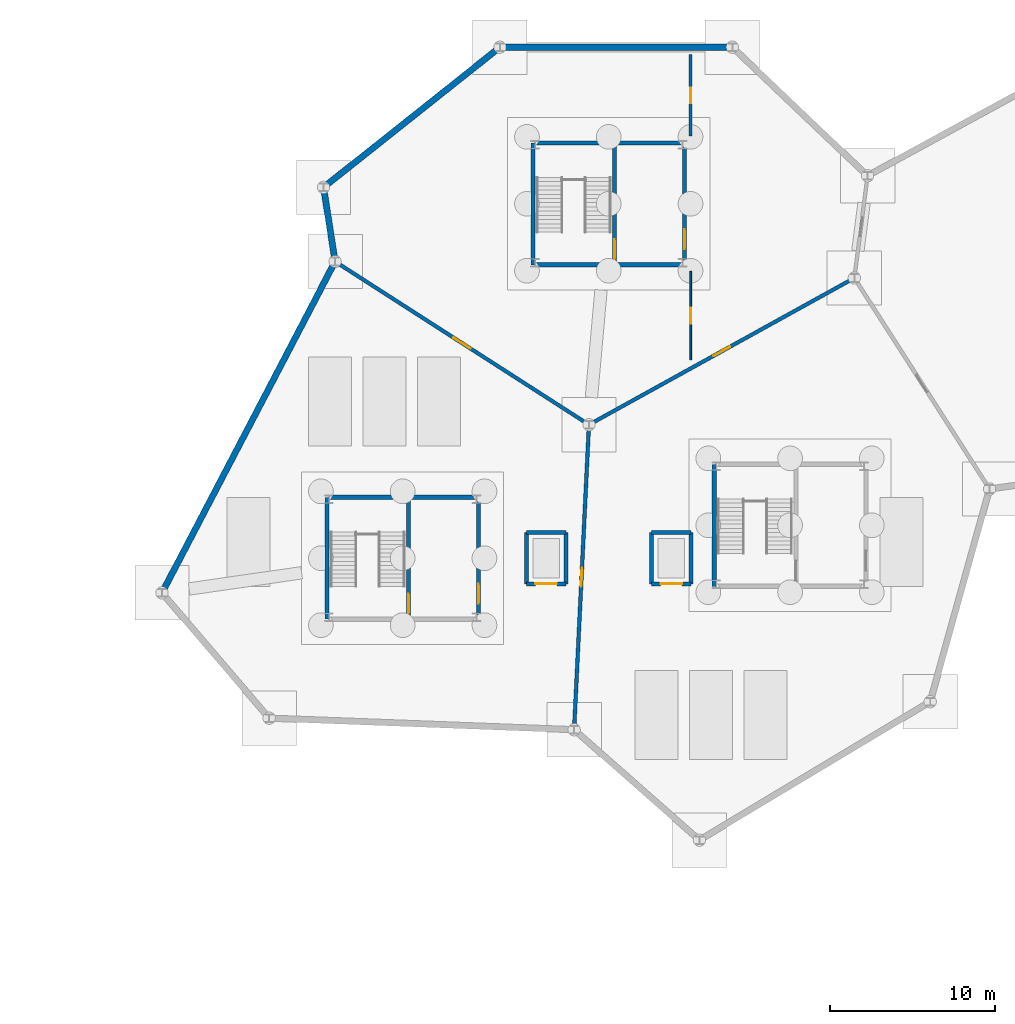
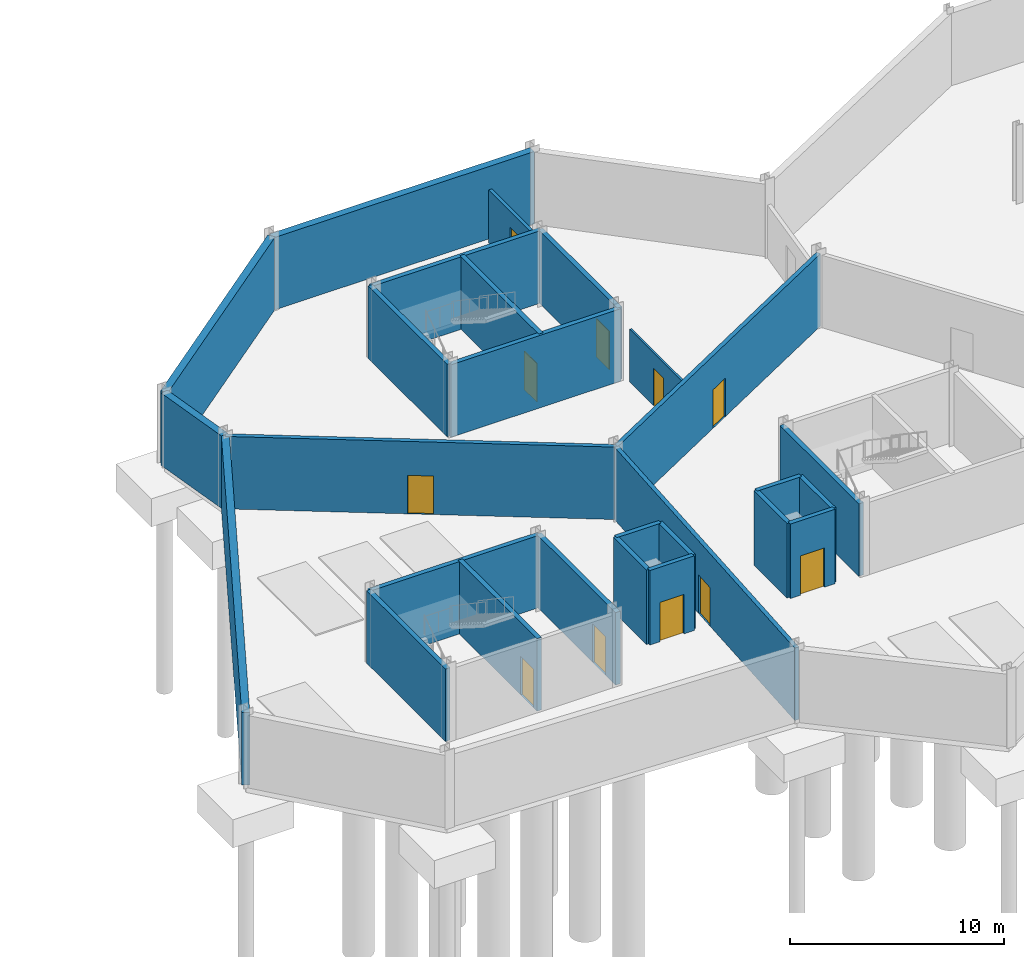
# One storey, part 30 of 37: 27 walls, 11 doors, 11 openings.
"""IFC4 building model written with IfcOpenShell, lengths in metres."""

from ifc_helpers import new_model, si_unit, direction, frame, frame_2d, origin, place, context, subcontext, project, spatial, rectangle, extrude, material, layer, layer_set, type_object, element, fill, save


model = new_model("IFC4")

# Units and contexts
model_context = context("Model", 3, precision=1e-05, world=origin(), true_north=direction((0.0, 1.0)))
body_context = subcontext(model_context, "Body", "Model", "MODEL_VIEW")
ifc_project = project(units=[si_unit("LENGTHUNIT", "METRE"), si_unit("AREAUNIT", "SQUARE_METRE"), si_unit("VOLUMEUNIT", "CUBIC_METRE"), si_unit("PLANEANGLEUNIT", "RADIAN"), si_unit("MASSUNIT", "GRAM", prefix="KILO")], contexts=[model_context])

# Site, building, storey
site_placement = place(None, origin())
site = spatial("IfcSite", under=ifc_project, at=site_placement, CompositionType="ELEMENT")
building_placement = place(site_placement, origin())
building = spatial("IfcBuilding", under=site, at=building_placement, Name="Tameran Prism Museum", CompositionType="ELEMENT")
storey_placement = place(building_placement, frame((0.0, 0.0, -4.5)))
storey = spatial("IfcBuildingStorey", under=building, at=storey_placement, Name="B1", CompositionType="ELEMENT", Elevation=-4.5)

# Walls
ifc_material_1 = material(Name="Concrete N40 (40 MPa)", Category="concrete")
ifc_layer_1 = layer(ifc_material_1, 0.3798828125)
ifc_layer_set_1 = layer_set([ifc_layer_1])
wall_type_1 = type_object("IfcWallType", Name="EW-RET-380", PredefinedType="USERDEFINED", material=ifc_layer_set_1)
wall_1_placement = place(storey_placement, frame((103.376953125, 98.9560546875, 0.0), z_axis=(0.0, 0.0, 1.0), x_axis=(-0.463016536886, -0.886349641264, 0.0)))
element("IfcWall", 1, at=wall_1_placement, inside=storey, type_object=wall_type_1, Name="Basement Retaining Wall RW-002", ObjectType="RETAININGWALL", PredefinedType="USERDEFINED", context=body_context, shape_type="SweptSolid", body=[
    extrude(rectangle(XDim=22.6279296875, YDim=0.3798828125, at=frame_2d((11.31396484375, 0.0))), origin(), (0.0, 0.0, 1.0), 4.139892578125),
])
wall_2_placement = place(storey_placement, frame((127.5, 112.0, 0.0), z_axis=(0.0, 0.0, 1.0), x_axis=(-1.0, 0.0, 0.0)))
element("IfcWall", 2, at=wall_2_placement, inside=storey, type_object=wall_type_1, Name="Basement Retaining Wall RW-008", ObjectType="RETAININGWALL", PredefinedType="USERDEFINED", context=body_context, shape_type="SweptSolid", body=[
    extrude(rectangle(XDim=14.10009765625, YDim=0.3798828125, at=frame_2d((7.050048828125, 0.0))), origin(), (0.0, 0.0, 1.0), 4.139892578125),
])
wall_3_placement = place(storey_placement, frame((113.39990234375, 112.0, 0.0), z_axis=(0.0, 0.0, 1.0), x_axis=(-0.783004636427, -0.62201586743, 0.0)))
element("IfcWall", 3, at=wall_3_placement, inside=storey, type_object=wall_type_1, Name="Basement Retaining Wall RW-009", ObjectType="RETAININGWALL", PredefinedType="USERDEFINED", context=body_context, shape_type="SweptSolid", body=[
    extrude(rectangle(XDim=13.665283203125, YDim=0.3798828125, at=frame_2d((6.83251953125, 0.0))), origin(), (0.0, 0.0, 1.0), 4.139892578125),
])
wall_4_placement = place(storey_placement, frame((102.699951171875, 103.5, 0.0), z_axis=(0.0, 0.0, 1.0), x_axis=(0.153657614378, -0.988124150876, 0.0)))
element("IfcWall", 4, at=wall_4_placement, inside=storey, type_object=wall_type_1, Name="Basement Retaining Wall RW-010", ObjectType="RETAININGWALL", PredefinedType="USERDEFINED", context=body_context, shape_type="SweptSolid", body=[
    extrude(rectangle(XDim=4.50439453125, YDim=0.3798828125, at=frame_2d((2.252197265625, 0.0))), origin(), (0.0, 0.0, 1.0), 4.139892578125),
])

# Wall, opening, door
ifc_material_2 = material(Name="Concrete N40 (40 MPa)", Category="concrete")
ifc_layer_2 = layer(ifc_material_2, 0.22509765625)
ifc_layer_set_2 = layer_set([ifc_layer_2])
wall_type_2 = type_object("IfcWallType", Name="IW-CMP-225", PredefinedType="SOLIDWALL", material=ifc_layer_set_2)
wall_5_placement = place(storey_placement, frame((117.89990234375, 70.60009765625, 0.0), z_axis=(0.0, 0.0, 1.0), x_axis=(0.048599072515, 0.998818366947, 0.0)))
wall_5 = element("IfcWall", 5, at=wall_5_placement, inside=storey, type_object=wall_type_2, Name="Compartment Wall IW-0001", PredefinedType="SOLIDWALL", context=body_context, shape_type="SweptSolid", body=[
    extrude(rectangle(XDim=18.52197265625, YDim=0.22509765625, at=frame_2d((9.260986328125, 0.0))), origin(), (0.0, 0.0, 1.0), 4.139892578125),
])
opening_1_placement = place(wall_5_placement, frame((8.68603515625, 0.0, 0.0)))
opening_1 = element("IfcOpeningElement", 6, at=opening_1_placement, cuts=wall_5, Name="Opening ID-0001", PredefinedType="OPENING", context=body_context, shape_type="SweptSolid", body=[
    extrude(rectangle(XDim=1.14990234375, YDim=2.199951171875, at=frame_2d((0.574951171875, 1.10009765625))), frame((0.0, 0.12255859375, 0.0), z_axis=(0.0, -1.0, 0.0), x_axis=(1.0, 0.0, 0.0)), (0.0, 0.0, 1.0), 0.2451171875),
])
ifc_material_3 = material(Name="Fire-Rated Steel Door Leaf and Frame", Category="steel")
door_type_1 = type_object("IfcDoorType", Name="DR-FD-120B", OperationType="NOTDEFINED", PredefinedType="DOOR", material=ifc_material_3)
door_1_placement = place(opening_1_placement, origin())
door_1 = element("IfcDoor", 7, at=door_1_placement, inside=storey, type_object=door_type_1, Name="Compartment Door ID-0001", OperationType="SINGLE_SWING_RIGHT", OverallHeight=2.199951171875, OverallWidth=1.14990234375, PredefinedType="DOOR", context=body_context, shape_type="SweptSolid", body=[
    extrude(rectangle(XDim=1.14990234375, YDim=2.199951171875, at=frame_2d((0.574951171875, 1.10009765625))), frame((0.0, 0.02490234375, 0.0), z_axis=(0.0, -1.0, 0.0), x_axis=(1.0, 0.0, 0.0)), (0.0, 0.0, 1.0), 0.050048828125),
])
fill(opening_1, door_1)

wall_6_placement = place(storey_placement, frame((118.800048828125, 89.10009765625, 0.0), z_axis=(0.0, 0.0, 1.0), x_axis=(-0.841183241423, 0.540750177392, 0.0)))
wall_6 = element("IfcWall", 8, at=wall_6_placement, inside=storey, type_object=wall_type_2, Name="Compartment Wall IW-0002", PredefinedType="SOLIDWALL", context=body_context, shape_type="SweptSolid", body=[
    extrude(rectangle(XDim=18.3076171875, YDim=0.22509765625, at=frame_2d((9.15380859375, 0.0))), origin(), (0.0, 0.0, 1.0), 4.139892578125),
])
opening_2_placement = place(wall_6_placement, frame((8.553955078125, 0.0, 0.0)))
opening_2 = element("IfcOpeningElement", 9, at=opening_2_placement, cuts=wall_6, Name="Opening ID-0002", PredefinedType="OPENING", context=body_context, shape_type="SweptSolid", body=[
    extrude(rectangle(XDim=1.199951171875, YDim=2.199951171875, at=frame_2d((0.60009765625, 1.10009765625))), frame((0.0, 0.12255859375, 0.0), z_axis=(0.0, -1.0, 0.0), x_axis=(1.0, 0.0, 0.0)), (0.0, 0.0, 1.0), 0.2451171875),
])
ifc_material_4 = material(Name="Fire-Rated Steel Door Leaf and Frame", Category="steel")
door_type_2 = type_object("IfcDoorType", Name="DR-FD-120A", OperationType="NOTDEFINED", PredefinedType="DOOR", material=ifc_material_4)
door_2_placement = place(opening_2_placement, origin())
door_2 = element("IfcDoor", 10, at=door_2_placement, inside=storey, type_object=door_type_2, Name="Compartment Door ID-0002", OperationType="SINGLE_SWING_LEFT", OverallHeight=2.199951171875, OverallWidth=1.199951171875, PredefinedType="DOOR", context=body_context, shape_type="SweptSolid", body=[
    extrude(rectangle(XDim=1.199951171875, YDim=2.199951171875, at=frame_2d((0.60009765625, 1.10009765625))), frame((0.0, 0.02490234375, 0.0), z_axis=(0.0, -1.0, 0.0), x_axis=(1.0, 0.0, 0.0)), (0.0, 0.0, 1.0), 0.050048828125),
])
fill(opening_2, door_2)

wall_7_placement = place(storey_placement, frame((134.89990234375, 98.0, 0.0), z_axis=(0.0, 0.0, 1.0), x_axis=(-0.875181353329, -0.483794996652, 0.0)))
wall_7 = element("IfcWall", 11, at=wall_7_placement, inside=storey, type_object=wall_type_2, Name="Compartment Wall IW-0003", PredefinedType="SOLIDWALL", context=body_context, shape_type="SweptSolid", body=[
    extrude(rectangle(XDim=18.39599609375, YDim=0.22509765625, at=frame_2d((9.197998046875, 0.0))), origin(), (0.0, 0.0, 1.0), 4.139892578125),
])
opening_3_placement = place(wall_7_placement, frame((8.623046875, 0.0, 0.0)))
opening_3 = element("IfcOpeningElement", 12, at=opening_3_placement, cuts=wall_7, Name="Opening ID-0003", PredefinedType="OPENING", context=body_context, shape_type="SweptSolid", body=[
    extrude(rectangle(XDim=1.14990234375, YDim=2.199951171875, at=frame_2d((0.574951171875, 1.10009765625))), frame((0.0, 0.12255859375, 0.0), z_axis=(0.0, -1.0, 0.0), x_axis=(1.0, 0.0, 0.0)), (0.0, 0.0, 1.0), 0.2451171875),
])
door_3_placement = place(opening_3_placement, origin())
door_3 = element("IfcDoor", 13, at=door_3_placement, inside=storey, type_object=door_type_1, Name="Compartment Door ID-0003", OperationType="SINGLE_SWING_RIGHT", OverallHeight=2.199951171875, OverallWidth=1.14990234375, PredefinedType="DOOR", context=body_context, shape_type="SweptSolid", body=[
    extrude(rectangle(XDim=1.14990234375, YDim=2.199951171875, at=frame_2d((0.574951171875, 1.10009765625))), frame((0.0, 0.02490234375, 0.0), z_axis=(0.0, -1.0, 0.0), x_axis=(1.0, 0.0, 0.0)), (0.0, 0.0, 1.0), 0.050048828125),
])
fill(opening_3, door_3)

# Walls
ifc_material_5 = material(Name="Concrete N40 (40 MPa)", Category="concrete")
ifc_layer_3 = layer(ifc_material_5, 0.25)
ifc_layer_set_3 = layer_set([ifc_layer_3])
wall_type_3 = type_object("IfcWallType", Name="IW-COR-250", PredefinedType="SHEAR", material=ifc_layer_set_3)
wall_8_placement = place(storey_placement, frame((102.89990234375, 77.300048828125, 0.0), z_axis=(0.0, 0.0, 1.0), x_axis=(0.0, 1.0, 0.0)))
element("IfcWall", 14, at=wall_8_placement, inside=storey, type_object=wall_type_3, Name="Core Shear Wall CW-1-B1-W", PredefinedType="SHEAR", context=body_context, shape_type="SweptSolid", body=[
    extrude(rectangle(XDim=7.39990234375, YDim=0.25, at=frame_2d((3.699951171875, 0.0))), origin(), (0.0, 0.0, 1.0), 4.139892578125),
])
wall_9_placement = place(storey_placement, frame((102.89990234375, 84.699951171875, 0.0), z_axis=(0.0, 0.0, 1.0), x_axis=(1.0, 0.0, 0.0)))
element("IfcWall", 15, at=wall_9_placement, inside=storey, type_object=wall_type_3, Name="Core Shear Wall CW-1-B1-N", PredefinedType="SHEAR", context=body_context, shape_type="SweptSolid", body=[
    extrude(rectangle(XDim=9.2001953125, YDim=0.25, at=frame_2d((4.60009765625, 0.0))), origin(), (0.0, 0.0, 1.0), 4.139892578125),
])

# Wall, opening, door
wall_10_placement = place(storey_placement, frame((112.10009765625, 84.699951171875, 0.0), z_axis=(0.0, 0.0, 1.0), x_axis=(0.0, -1.0, 0.0)))
wall_10 = element("IfcWall", 16, at=wall_10_placement, inside=storey, type_object=wall_type_3, Name="Core Shear Wall CW-1-B1-E", PredefinedType="SHEAR", context=body_context, shape_type="SweptSolid", body=[
    extrude(rectangle(XDim=7.39990234375, YDim=0.25, at=frame_2d((3.699951171875, 0.0))), origin(), (0.0, 0.0, 1.0), 4.139892578125),
])
opening_4_placement = place(wall_10_placement, frame((5.25, 0.0, 0.0)))
opening_4 = element("IfcOpeningElement", 17, at=opening_4_placement, cuts=wall_10, Name="Opening FD-0169", PredefinedType="OPENING", context=body_context, shape_type="SweptSolid", body=[
    extrude(rectangle(XDim=1.199951171875, YDim=2.199951171875, at=frame_2d((0.60009765625, 1.10009765625))), frame((0.0, 0.135009765625, 0.0), z_axis=(0.0, -1.0, 0.0), x_axis=(1.0, 0.0, 0.0)), (0.0, 0.0, 1.0), 0.27001953125),
])
door_4_placement = place(opening_4_placement, origin())
door_4 = element("IfcDoor", 18, at=door_4_placement, inside=storey, type_object=door_type_2, Name="Core Fire Door FD-0169", OperationType="SINGLE_SWING_LEFT", OverallHeight=2.199951171875, OverallWidth=1.199951171875, PredefinedType="DOOR", context=body_context, shape_type="SweptSolid", body=[
    extrude(rectangle(XDim=1.199951171875, YDim=2.199951171875, at=frame_2d((0.60009765625, 1.10009765625))), frame((0.0, 0.02490234375, 0.0), z_axis=(0.0, -1.0, 0.0), x_axis=(1.0, 0.0, 0.0)), (0.0, 0.0, 1.0), 0.050048828125),
])
fill(opening_4, door_4)

wall_11_placement = place(storey_placement, frame((107.85009765625, 84.699951171875, 0.0), z_axis=(0.0, 0.0, 1.0), x_axis=(0.0, -1.0, 0.0)))
wall_11 = element("IfcWall", 19, at=wall_11_placement, inside=storey, type_object=wall_type_3, Name="Core Shear Wall CW-1-B1-M", PredefinedType="SHEAR", context=body_context, shape_type="SweptSolid", body=[
    extrude(rectangle(XDim=7.39990234375, YDim=0.25, at=frame_2d((3.699951171875, 0.0))), origin(), (0.0, 0.0, 1.0), 4.139892578125),
])
opening_5_placement = place(wall_11_placement, frame((5.85009765625, 0.0, 0.0)))
opening_5 = element("IfcOpeningElement", 20, at=opening_5_placement, cuts=wall_11, Name="Opening FD-0170", PredefinedType="OPENING", context=body_context, shape_type="SweptSolid", body=[
    extrude(rectangle(XDim=1.199951171875, YDim=2.199951171875, at=frame_2d((0.60009765625, 1.10009765625))), frame((0.0, 0.135009765625, 0.0), z_axis=(0.0, -1.0, 0.0), x_axis=(1.0, 0.0, 0.0)), (0.0, 0.0, 1.0), 0.27001953125),
])
door_5_placement = place(opening_5_placement, origin())
door_5 = element("IfcDoor", 21, at=door_5_placement, inside=storey, type_object=door_type_2, Name="Core Fire Door FD-0170", OperationType="SINGLE_SWING_RIGHT", OverallHeight=2.199951171875, OverallWidth=1.199951171875, PredefinedType="DOOR", context=body_context, shape_type="SweptSolid", body=[
    extrude(rectangle(XDim=1.199951171875, YDim=2.199951171875, at=frame_2d((0.60009765625, 1.10009765625))), frame((0.0, 0.02490234375, 0.0), z_axis=(0.0, -1.0, 0.0), x_axis=(1.0, 0.0, 0.0)), (0.0, 0.0, 1.0), 0.050048828125),
])
fill(opening_5, door_5)

# Walls
for number, where, z_axis, x_axis, name in (
    (22, (126.39990234375, 79.300048828125, 0.0), (0.0, 0.0, 1.0), (0.0, 1.0, 0.0), "Core Shear Wall CW-2-B1-W"),
    (23, (115.39990234375, 98.800048828125, 0.0), (0.0, 0.0, 1.0), (0.0, 1.0, 0.0), "Core Shear Wall CW-7-B1-W"),
):
    element("IfcWall", number, at=place(storey_placement, frame(where, z_axis=z_axis, x_axis=x_axis)), inside=storey, type_object=wall_type_3, Name=name, PredefinedType="SHEAR", context=body_context, shape_type="SweptSolid", body=[
        extrude(rectangle(XDim=7.39990234375, YDim=0.25, at=frame_2d((3.699951171875, 0.0))), origin(), (0.0, 0.0, 1.0), 4.139892578125),
    ])
for number, where, z_axis, x_axis, name in (
    (24, (115.39990234375, 106.199951171875, 0.0), (0.0, 0.0, 1.0), (1.0, 0.0, 0.0), "Core Shear Wall CW-7-B1-N"),
    (25, (124.60009765625, 98.800048828125, 0.0), (0.0, 0.0, 1.0), (-1.0, 0.0, 0.0), "Core Shear Wall CW-7-B1-S"),
):
    element("IfcWall", number, at=place(storey_placement, frame(where, z_axis=z_axis, x_axis=x_axis)), inside=storey, type_object=wall_type_3, Name=name, PredefinedType="SHEAR", context=body_context, shape_type="SweptSolid", body=[
        extrude(rectangle(XDim=9.2001953125, YDim=0.25, at=frame_2d((4.60009765625, 0.0))), origin(), (0.0, 0.0, 1.0), 4.139892578125),
    ])

# Wall, opening, door
wall_12_placement = place(storey_placement, frame((124.60009765625, 106.199951171875, 0.0), z_axis=(0.0, 0.0, 1.0), x_axis=(0.0, -1.0, 0.0)))
wall_12 = element("IfcWall", 26, at=wall_12_placement, inside=storey, type_object=wall_type_3, Name="Core Shear Wall CW-7-B1-E", PredefinedType="SHEAR", context=body_context, shape_type="SweptSolid", body=[
    extrude(rectangle(XDim=7.39990234375, YDim=0.25, at=frame_2d((3.699951171875, 0.0))), origin(), (0.0, 0.0, 1.0), 4.139892578125),
])
opening_6_placement = place(wall_12_placement, frame((5.25, 0.0, 0.0)))
opening_6 = element("IfcOpeningElement", 27, at=opening_6_placement, cuts=wall_12, Name="Opening FD-0197", PredefinedType="OPENING", context=body_context, shape_type="SweptSolid", body=[
    extrude(rectangle(XDim=1.199951171875, YDim=2.199951171875, at=frame_2d((0.60009765625, 1.10009765625))), frame((0.0, 0.135009765625, 0.0), z_axis=(0.0, -1.0, 0.0), x_axis=(1.0, 0.0, 0.0)), (0.0, 0.0, 1.0), 0.27001953125),
])
door_6_placement = place(opening_6_placement, origin())
door_6 = element("IfcDoor", 28, at=door_6_placement, inside=storey, type_object=door_type_2, Name="Core Fire Door FD-0197", OperationType="SINGLE_SWING_LEFT", OverallHeight=2.199951171875, OverallWidth=1.199951171875, PredefinedType="DOOR", context=body_context, shape_type="SweptSolid", body=[
    extrude(rectangle(XDim=1.199951171875, YDim=2.199951171875, at=frame_2d((0.60009765625, 1.10009765625))), frame((0.0, 0.02490234375, 0.0), z_axis=(0.0, -1.0, 0.0), x_axis=(1.0, 0.0, 0.0)), (0.0, 0.0, 1.0), 0.050048828125),
])
fill(opening_6, door_6)

wall_13_placement = place(storey_placement, frame((120.35009765625, 106.199951171875, 0.0), z_axis=(0.0, 0.0, 1.0), x_axis=(0.0, -1.0, 0.0)))
wall_13 = element("IfcWall", 29, at=wall_13_placement, inside=storey, type_object=wall_type_3, Name="Core Shear Wall CW-7-B1-M", PredefinedType="SHEAR", context=body_context, shape_type="SweptSolid", body=[
    extrude(rectangle(XDim=7.39990234375, YDim=0.25, at=frame_2d((3.699951171875, 0.0))), origin(), (0.0, 0.0, 1.0), 4.139892578125),
])
opening_7_placement = place(wall_13_placement, frame((5.85009765625, 0.0, 0.0)))
opening_7 = element("IfcOpeningElement", 30, at=opening_7_placement, cuts=wall_13, Name="Opening FD-0198", PredefinedType="OPENING", context=body_context, shape_type="SweptSolid", body=[
    extrude(rectangle(XDim=1.199951171875, YDim=2.199951171875, at=frame_2d((0.60009765625, 1.10009765625))), frame((0.0, 0.135009765625, 0.0), z_axis=(0.0, -1.0, 0.0), x_axis=(1.0, 0.0, 0.0)), (0.0, 0.0, 1.0), 0.27001953125),
])
door_7_placement = place(opening_7_placement, origin())
door_7 = element("IfcDoor", 31, at=door_7_placement, inside=storey, type_object=door_type_2, Name="Core Fire Door FD-0198", OperationType="SINGLE_SWING_RIGHT", OverallHeight=2.199951171875, OverallWidth=1.199951171875, PredefinedType="DOOR", context=body_context, shape_type="SweptSolid", body=[
    extrude(rectangle(XDim=1.199951171875, YDim=2.199951171875, at=frame_2d((0.60009765625, 1.10009765625))), frame((0.0, 0.02490234375, 0.0), z_axis=(0.0, -1.0, 0.0), x_axis=(1.0, 0.0, 0.0)), (0.0, 0.0, 1.0), 0.050048828125),
])
fill(opening_7, door_7)

# Walls
ifc_material_6 = material(Name="Concrete N40 (40 MPa)", Category="concrete")
ifc_layer_4 = layer(ifc_material_6, 0.239990234375)
ifc_layer_set_4 = layer_set([ifc_layer_4])
wall_type_4 = type_object("IfcWallType", Name="IW-LFT-240", PredefinedType="SHEAR", material=ifc_layer_set_4)
wall_14_placement = place(storey_placement, frame((115.0, 82.550048828125, 0.0), z_axis=(0.0, 0.0, 1.0), x_axis=(1.0, 0.0, 0.0)))
element("IfcWall", 32, at=wall_14_placement, inside=storey, type_object=wall_type_4, Name="Lift Shaft Wall LW-EL01-B1N", PredefinedType="SHEAR", context=body_context, shape_type="SweptSolid", body=[
    extrude(rectangle(XDim=2.39990234375, YDim=0.239990234375, at=frame_2d((1.199951171875, 0.0))), origin(), (0.0, 0.0, 1.0), 4.260009765625),
])
for number, where, z_axis, x_axis, name in (
    (33, (117.39990234375, 82.550048828125, 0.0), (0.0, 0.0, 1.0), (0.0, -1.0, 0.0), "Lift Shaft Wall LW-EL01-B1E"),
    (34, (115.0, 79.449951171875, 0.0), (0.0, 0.0, 1.0), (0.0, 1.0, 0.0), "Lift Shaft Wall LW-EL01-B1W"),
):
    element("IfcWall", number, at=place(storey_placement, frame(where, z_axis=z_axis, x_axis=x_axis)), inside=storey, type_object=wall_type_4, Name=name, PredefinedType="SHEAR", context=body_context, shape_type="SweptSolid", body=[
        extrude(rectangle(XDim=3.10009765625, YDim=0.239990234375, at=frame_2d((1.550048828125, 0.0))), origin(), (0.0, 0.0, 1.0), 4.260009765625),
    ])

# Wall, opening, door
wall_15_placement = place(storey_placement, frame((117.39990234375, 79.449951171875, 0.0), z_axis=(0.0, 0.0, 1.0), x_axis=(-1.0, 0.0, 0.0)))
wall_15 = element("IfcWall", 35, at=wall_15_placement, inside=storey, type_object=wall_type_4, Name="Lift Shaft Wall LW-EL01-B1S", PredefinedType="SHEAR", context=body_context, shape_type="SweptSolid", body=[
    extrude(rectangle(XDim=2.39990234375, YDim=0.239990234375, at=frame_2d((1.199951171875, 0.0))), origin(), (0.0, 0.0, 1.0), 4.260009765625),
])
opening_8_placement = place(wall_15_placement, frame((0.550048828125, 0.0, 0.0)))
opening_8 = element("IfcOpeningElement", 36, at=opening_8_placement, cuts=wall_15, Name="Opening LD-EL01-B1", PredefinedType="OPENING", context=body_context, shape_type="SweptSolid", body=[
    extrude(rectangle(XDim=1.300048828125, YDim=2.25, at=frame_2d((0.64990234375, 1.125))), frame((0.0, 0.1298828125, 0.0), z_axis=(0.0, -1.0, 0.0), x_axis=(1.0, 0.0, 0.0)), (0.0, 0.0, 1.0), 0.260009765625),
])
ifc_material_7 = material(Name="Fire-Rated Steel Door Leaf and Frame", Category="steel")
door_type_3 = type_object("IfcDoorType", Name="DR-LD-EL", OperationType="SLIDING_TO_LEFT", PredefinedType="DOOR", material=ifc_material_7)
door_8_placement = place(opening_8_placement, origin())
door_8 = element("IfcDoor", 37, at=door_8_placement, inside=storey, type_object=door_type_3, Name="Emergency Stretcher Lift EL-01 Landing Door B1", OperationType="SLIDING_TO_LEFT", OverallHeight=2.25, OverallWidth=1.300048828125, PredefinedType="DOOR", context=body_context, shape_type="SweptSolid", body=[
    extrude(rectangle(XDim=1.300048828125, YDim=2.25, at=frame_2d((0.64990234375, 1.125))), frame((0.0, 0.02490234375, 0.0), z_axis=(0.0, -1.0, 0.0), x_axis=(1.0, 0.0, 0.0)), (0.0, 0.0, 1.0), 0.050048828125),
])
fill(opening_8, door_8)

# Walls
wall_16_placement = place(storey_placement, frame((122.60009765625, 82.550048828125, 0.0), z_axis=(0.0, 0.0, 1.0), x_axis=(1.0, 0.0, 0.0)))
element("IfcWall", 38, at=wall_16_placement, inside=storey, type_object=wall_type_4, Name="Lift Shaft Wall LW-EL02-B1N", PredefinedType="SHEAR", context=body_context, shape_type="SweptSolid", body=[
    extrude(rectangle(XDim=2.39990234375, YDim=0.239990234375, at=frame_2d((1.199951171875, 0.0))), origin(), (0.0, 0.0, 1.0), 4.260009765625),
])
for number, where, z_axis, x_axis, name in (
    (39, (125.0, 82.550048828125, 0.0), (0.0, 0.0, 1.0), (0.0, -1.0, 0.0), "Lift Shaft Wall LW-EL02-B1E"),
    (40, (122.60009765625, 79.449951171875, 0.0), (0.0, 0.0, 1.0), (0.0, 1.0, 0.0), "Lift Shaft Wall LW-EL02-B1W"),
):
    element("IfcWall", number, at=place(storey_placement, frame(where, z_axis=z_axis, x_axis=x_axis)), inside=storey, type_object=wall_type_4, Name=name, PredefinedType="SHEAR", context=body_context, shape_type="SweptSolid", body=[
        extrude(rectangle(XDim=3.10009765625, YDim=0.239990234375, at=frame_2d((1.550048828125, 0.0))), origin(), (0.0, 0.0, 1.0), 4.260009765625),
    ])

# Wall, opening, door
wall_17_placement = place(storey_placement, frame((125.0, 79.449951171875, 0.0), z_axis=(0.0, 0.0, 1.0), x_axis=(-1.0, 0.0, 0.0)))
wall_17 = element("IfcWall", 41, at=wall_17_placement, inside=storey, type_object=wall_type_4, Name="Lift Shaft Wall LW-EL02-B1S", PredefinedType="SHEAR", context=body_context, shape_type="SweptSolid", body=[
    extrude(rectangle(XDim=2.39990234375, YDim=0.239990234375, at=frame_2d((1.199951171875, 0.0))), origin(), (0.0, 0.0, 1.0), 4.260009765625),
])
opening_9_placement = place(wall_17_placement, frame((0.550048828125, 0.0, 0.0)))
opening_9 = element("IfcOpeningElement", 42, at=opening_9_placement, cuts=wall_17, Name="Opening LD-EL02-B1", PredefinedType="OPENING", context=body_context, shape_type="SweptSolid", body=[
    extrude(rectangle(XDim=1.300048828125, YDim=2.25, at=frame_2d((0.64990234375, 1.125))), frame((0.0, 0.1298828125, 0.0), z_axis=(0.0, -1.0, 0.0), x_axis=(1.0, 0.0, 0.0)), (0.0, 0.0, 1.0), 0.260009765625),
])
door_9_placement = place(opening_9_placement, origin())
door_9 = element("IfcDoor", 43, at=door_9_placement, inside=storey, type_object=door_type_3, Name="Emergency Stretcher Lift EL-02 Landing Door B1", OperationType="SLIDING_TO_LEFT", OverallHeight=2.25, OverallWidth=1.300048828125, PredefinedType="DOOR", context=body_context, shape_type="SweptSolid", body=[
    extrude(rectangle(XDim=1.300048828125, YDim=2.25, at=frame_2d((0.64990234375, 1.125))), frame((0.0, 0.02490234375, 0.0), z_axis=(0.0, -1.0, 0.0), x_axis=(1.0, 0.0, 0.0)), (0.0, 0.0, 1.0), 0.050048828125),
])
fill(opening_9, door_9)

ifc_material_8 = material(Name="Store Lightweight Stud Partition")
ifc_layer_5 = layer(ifc_material_8, 0.110107421875)
ifc_layer_set_5 = layer_set([ifc_layer_5])
wall_type_5 = type_object("IfcWallType", Name="IW-PRT-110", PredefinedType="PARTITIONING", material=ifc_layer_set_5)
wall_18_placement = place(storey_placement, frame((124.971923828125, 93.02587890625, 0.0), z_axis=(0.0, 0.0, 1.0), x_axis=(0.0, 1.0, 0.0)))
wall_18 = element("IfcWall", 44, at=wall_18_placement, inside=storey, type_object=wall_type_5, Name="Internal Partition PT-0023", PredefinedType="PARTITIONING", context=body_context, shape_type="SweptSolid", body=[
    extrude(rectangle(XDim=5.3740234375, YDim=0.110107421875, at=frame_2d((2.68701171875, 0.0))), origin(), (0.0, 0.0, 1.0), 3.02001953125),
])
opening_10_placement = place(wall_18_placement, frame((2.2119140625, 0.0, 0.0)))
opening_10 = element("IfcOpeningElement", 45, at=opening_10_placement, cuts=wall_18, Name="Opening ID-0022", PredefinedType="OPENING", context=body_context, shape_type="SweptSolid", body=[
    extrude(rectangle(XDim=0.949951171875, YDim=2.14990234375, at=frame_2d((0.47509765625, 1.074951171875))), frame((0.0, 0.06494140625, 0.0), z_axis=(0.0, -1.0, 0.0), x_axis=(1.0, 0.0, 0.0)), (0.0, 0.0, 1.0), 0.130126953125),
])
ifc_material_9 = material(Name="Acoustic Solid-Core Timber Door", Category="wood")
door_type_4 = type_object("IfcDoorType", Name="DR-INT-095", OperationType="NOTDEFINED", PredefinedType="DOOR", material=ifc_material_9)
door_10_placement = place(opening_10_placement, origin())
door_10 = element("IfcDoor", 46, at=door_10_placement, inside=storey, type_object=door_type_4, Name="Interior Room Door ID-0022", OperationType="SINGLE_SWING_LEFT", OverallHeight=2.14990234375, OverallWidth=0.949951171875, PredefinedType="DOOR", context=body_context, shape_type="SweptSolid", body=[
    extrude(rectangle(XDim=0.949951171875, YDim=2.14990234375, at=frame_2d((0.47509765625, 1.074951171875))), frame((0.0, 0.02490234375, 0.0), z_axis=(0.0, -1.0, 0.0), x_axis=(1.0, 0.0, 0.0)), (0.0, 0.0, 1.0), 0.050048828125),
])
fill(opening_10, door_10)

ifc_material_10 = material(Name="Acoustic Double Stud Plasterboard")
ifc_layer_6 = layer(ifc_material_10, 0.18505859375)
ifc_layer_set_6 = layer_set([ifc_layer_6])
wall_type_6 = type_object("IfcWallType", Name="IW-PRT-185", PredefinedType="PARTITIONING", material=ifc_layer_set_6)
wall_19_placement = place(storey_placement, frame((124.971923828125, 106.60009765625, 0.0), z_axis=(0.0, 0.0, 1.0), x_axis=(0.0, 1.0, 0.0)))
wall_19 = element("IfcWall", 47, at=wall_19_placement, inside=storey, type_object=wall_type_6, Name="Internal Partition PT-0024", PredefinedType="PARTITIONING", context=body_context, shape_type="SweptSolid", body=[
    extrude(rectangle(XDim=4.949951171875, YDim=0.18505859375, at=frame_2d((2.47509765625, 0.0))), origin(), (0.0, 0.0, 1.0), 3.02001953125),
])
opening_11_placement = place(wall_19_placement, frame((2.014892578125, 0.0, 0.0)))
opening_11 = element("IfcOpeningElement", 48, at=opening_11_placement, cuts=wall_19, Name="Opening ID-0023", PredefinedType="OPENING", context=body_context, shape_type="SweptSolid", body=[
    extrude(rectangle(XDim=0.919921875, YDim=2.10009765625, at=frame_2d((0.4599609375, 1.050048828125))), frame((0.0, 0.1025390625, 0.0), z_axis=(0.0, -1.0, 0.0), x_axis=(1.0, 0.0, 0.0)), (0.0, 0.0, 1.0), 0.205078125),
])
ifc_material_11 = material(Name="Acoustic Solid-Core Timber Door", Category="wood")
door_type_5 = type_object("IfcDoorType", Name="DR-INT-092", OperationType="NOTDEFINED", PredefinedType="DOOR", material=ifc_material_11)
door_11_placement = place(opening_11_placement, origin())
door_11 = element("IfcDoor", 49, at=door_11_placement, inside=storey, type_object=door_type_5, Name="Interior Room Door ID-0023", OperationType="SINGLE_SWING_RIGHT", OverallHeight=2.10009765625, OverallWidth=0.919921875, PredefinedType="DOOR", context=body_context, shape_type="SweptSolid", body=[
    extrude(rectangle(XDim=0.919921875, YDim=2.10009765625, at=frame_2d((0.4599609375, 1.050048828125))), frame((0.0, 0.02490234375, 0.0), z_axis=(0.0, -1.0, 0.0), x_axis=(1.0, 0.0, 0.0)), (0.0, 0.0, 1.0), 0.050048828125),
])
fill(opening_11, door_11)

save(model, "model.ifc")
